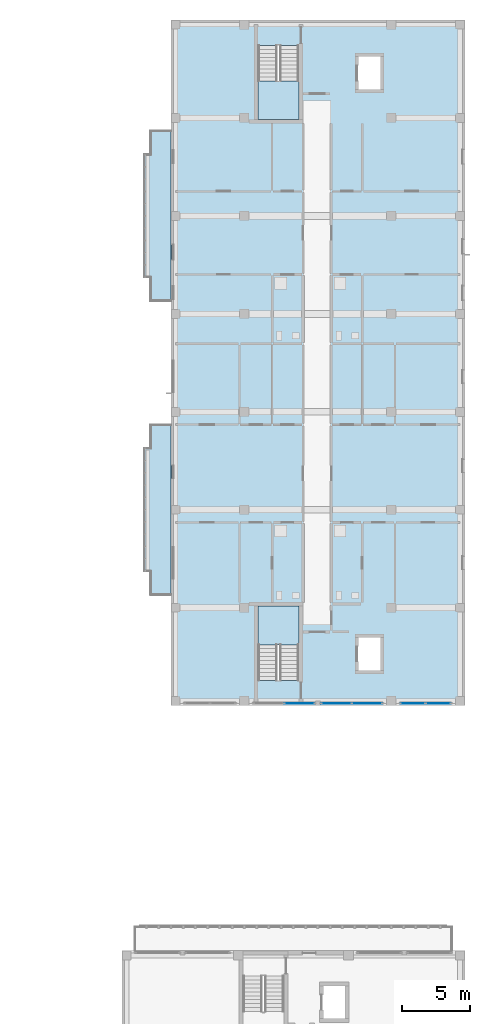
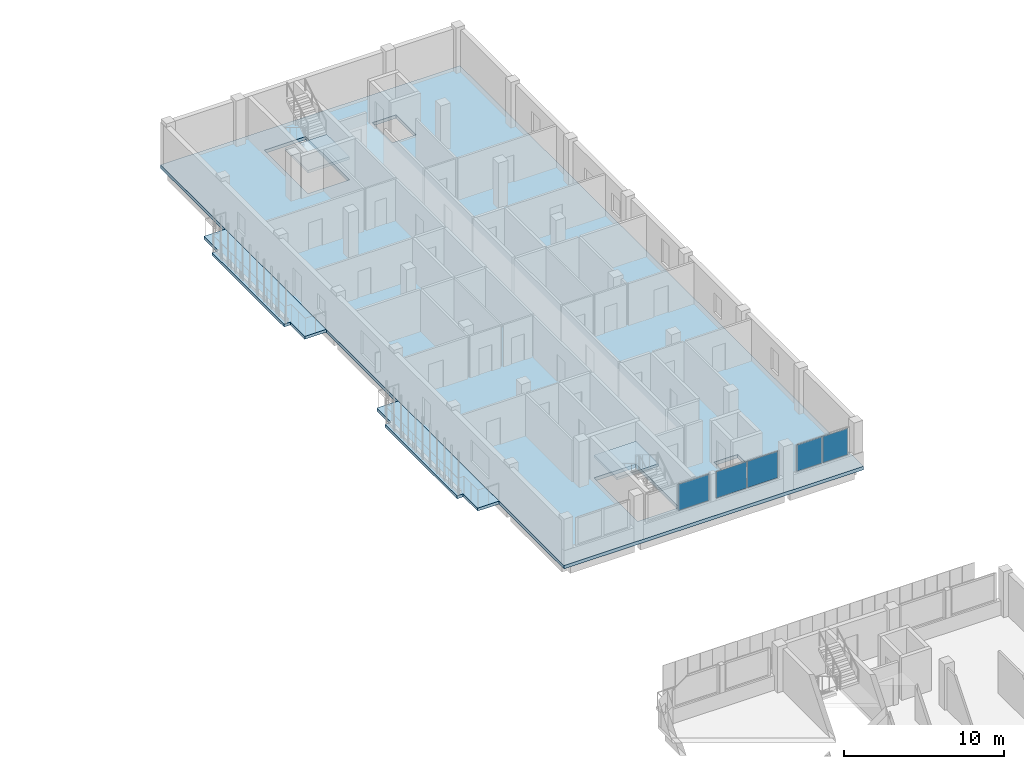
# One storey, part 34 of 73: 5 plates, 5 slabs, 5 elements without a shape of their own.
"""IFC4 building model written with IfcOpenShell, lengths in metres."""

from ifc_helpers import new_model, si_unit, derived_unit, direction, frame, origin, origin_2d, place, context, subcontext, project, spatial, polyline, rectangle, outline, extrude, material, layer, layer_set, type_object, element, aggregate, save


model = new_model("IFC4")

# Units and contexts
model_context = context("Model", 3, precision=1e-05, world=origin(), true_north=direction((0.0, 1.0)))
body_context = subcontext(model_context, "Body", "Model", "MODEL_VIEW")
ifc_project = project(units=[si_unit("LENGTHUNIT", "METRE"), si_unit("AREAUNIT", "SQUARE_METRE"), si_unit("VOLUMEUNIT", "CUBIC_METRE"), si_unit("PLANEANGLEUNIT", "RADIAN"), si_unit("MASSUNIT", "GRAM", prefix="KILO"), derived_unit("THERMALTRANSMITTANCEUNIT", [(si_unit("MASSUNIT", "GRAM", prefix="KILO"), 1), (si_unit("TIMEUNIT", "SECOND"), -3), (si_unit("THERMODYNAMICTEMPERATUREUNIT", "KELVIN"), -1)])], contexts=[model_context])

# Site, building, storey
site_placement = place(None, origin())
site = spatial("IfcSite", under=ifc_project, at=site_placement, CompositionType="ELEMENT")
building_placement = place(site_placement, origin())
building = spatial("IfcBuilding", under=site, at=building_placement, Name="Ochrekiln Boulevard Commons", CompositionType="ELEMENT")
storey_placement = place(building_placement, frame((0.0, 0.0, 8.574951171875)))
storey = spatial("IfcBuildingStorey", under=building, at=storey_placement, Name="L02", CompositionType="ELEMENT", Elevation=8.574951171875)

# Curtain wall, plate
ifc_material_1 = material(Name="Bronze-anodized extruded aluminium 6063-T6", Category="aluminium")
ifc_layer_1 = layer(ifc_material_1, 0.18408203125)
ifc_layer_set_1 = layer_set([ifc_layer_1], Name="Bronze-anodized extruded aluminium 6063-T6")
curtain_wall_type = type_object("IfcCurtainWallType", Name="CW-GABLE-B", PredefinedType="USERDEFINED", material=ifc_layer_set_1)
curtain_wall_1_placement = place(storey_placement, origin())
curtain_wall_1 = element("IfcCurtainWall", 1, at=curtain_wall_1_placement, inside=storey, type_object=curtain_wall_type, Name="Block B L02 Courtyard Glazed Gable Curtain Wall 2", ObjectType="GLAZED CURTAIN WALL", PredefinedType="USERDEFINED")
ifc_material_2 = material(Name="Spectrally selective low-E insulated glazing", Category="glass")
ifc_layer_2 = layer(ifc_material_2, 0.02392578125)
ifc_layer_set_2 = layer_set([ifc_layer_2], Name="Spectrally selective low-E insulated glazing")
plate_type_1 = type_object("IfcPlateType", Name="CWP-GLZ-1", PredefinedType="CURTAIN_PANEL", material=ifc_layer_set_2)
plate_1_placement = place(storey_placement, frame((160.638671875, 68.570068359375, 1.175048828125), z_axis=(0.0, 0.0, 1.0), x_axis=(1.0, 0.0, 0.0)))
plate_1 = element("IfcPlate", 2, at=plate_1_placement, type_object=plate_type_1, Name="CW-02 panel 2.1", PredefinedType="CURTAIN_PANEL", context=body_context, shape_type="SweptSolid", body=[
    extrude(rectangle(XDim=2.1923828125, YDim=0.02392578125, at=origin_2d()), origin(), (0.0, 0.0, 1.0), 2.0),
])
aggregate(curtain_wall_1, [plate_1])

# Curtain wall, plates
curtain_wall_2_placement = place(storey_placement, origin())
curtain_wall_2 = element("IfcCurtainWall", 3, at=curtain_wall_2_placement, inside=storey, type_object=curtain_wall_type, Name="Block B L02 Courtyard Glazed Gable Curtain Wall 3", ObjectType="GLAZED CURTAIN WALL", PredefinedType="USERDEFINED")
ifc_layer_3 = layer(ifc_material_2, 0.030029296875)
ifc_layer_set_3 = layer_set([ifc_layer_3], Name="Spectrally selective low-E insulated glazing")
plate_type_2 = type_object("IfcPlateType", Name="CWP-GLZ-2", PredefinedType="CURTAIN_PANEL", material=ifc_layer_set_3)
plate_2_placement = place(storey_placement, frame((163.360107421875, 68.570068359375, 1.169921875), z_axis=(0.0, 0.0, 1.0), x_axis=(1.0, 0.0, 0.0)))
plate_2 = element("IfcPlate", 4, at=plate_2_placement, type_object=plate_type_2, Name="CW-02 panel 1.1", PredefinedType="CURTAIN_PANEL", context=body_context, shape_type="SweptSolid", body=[
    extrude(rectangle(XDim=2.199951171875, YDim=0.030029296875, at=origin_2d()), origin(), (0.0, 0.0, 1.0), 2.010009765625),
])
plate_3_placement = place(storey_placement, frame((165.6201171875, 68.570068359375, 1.169921875), z_axis=(0.0, 0.0, 1.0), x_axis=(1.0, 0.0, 0.0)))
plate_3 = element("IfcPlate", 5, at=plate_3_placement, type_object=plate_type_2, Name="CW-02 panel 2.1", PredefinedType="CURTAIN_PANEL", context=body_context, shape_type="SweptSolid", body=[
    extrude(rectangle(XDim=2.199951171875, YDim=0.030029296875, at=origin_2d()), origin(), (0.0, 0.0, 1.0), 2.010009765625),
])
aggregate(curtain_wall_2, [plate_2, plate_3])

curtain_wall_3_placement = place(storey_placement, origin())
curtain_wall_3 = element("IfcCurtainWall", 6, at=curtain_wall_3_placement, inside=storey, type_object=curtain_wall_type, Name="Block B L02 Courtyard Glazed Gable Curtain Wall 4", ObjectType="GLAZED CURTAIN WALL", PredefinedType="USERDEFINED")
ifc_layer_4 = layer(ifc_material_2, 0.035888671875)
ifc_layer_set_4 = layer_set([ifc_layer_4], Name="Spectrally selective low-E insulated glazing")
plate_type_3 = type_object("IfcPlateType", Name="CWP-GLZ-3", PredefinedType="CURTAIN_PANEL", material=ifc_layer_set_4)
plate_4_placement = place(storey_placement, frame((168.98876953125, 68.570068359375, 1.175048828125), z_axis=(0.0, 0.0, 1.0), x_axis=(1.0, 0.0, 0.0)))
plate_4 = element("IfcPlate", 7, at=plate_4_placement, type_object=plate_type_3, Name="CW-02 panel 1.1", PredefinedType="CURTAIN_PANEL", context=body_context, shape_type="SweptSolid", body=[
    extrude(rectangle(XDim=1.8076171875, YDim=0.035888671875, at=origin_2d()), origin(), (0.0, 0.0, 1.0), 2.0),
])
plate_5_placement = place(storey_placement, frame((170.861328125, 68.570068359375, 1.175048828125), z_axis=(0.0, 0.0, 1.0), x_axis=(1.0, 0.0, 0.0)))
plate_5 = element("IfcPlate", 8, at=plate_5_placement, type_object=plate_type_3, Name="CW-02 panel 2.1", PredefinedType="CURTAIN_PANEL", context=body_context, shape_type="SweptSolid", body=[
    extrude(rectangle(XDim=1.8076171875, YDim=0.035888671875, at=origin_2d()), origin(), (0.0, 0.0, 1.0), 2.0),
])
aggregate(curtain_wall_3, [plate_4, plate_5])

# Slabs
ifc_material_3 = material(Name="Concrete C35/45", Category="concrete")
ifc_layer_5 = layer(ifc_material_3, 0.219970703125)
ifc_layer_set_5 = layer_set([ifc_layer_5], Name="Concrete C35/45")
slab_type_1 = type_object("IfcSlabType", Name="SLB-BAL-220", PredefinedType="FLOOR", material=ifc_layer_set_5)
slab_1_placement = place(storey_placement, frame((0.0, 0.0, -0.219970703125)))
element("IfcSlab", 9, at=slab_1_placement, inside=storey, type_object=slab_type_1, Name="Block B L02 Planter-Box Balcony Slab 1", PredefinedType="FLOOR", context=body_context, shape_type="SweptSolid", body=[
    extrude(outline(polyline([(151.199951171875, 76.5), (151.199951171875, 89.10009765625), (149.64990234375, 89.10009765625), (149.64990234375, 87.300048828125), (149.199951171875, 87.300048828125), (149.199951171875, 78.300048828125), (149.64990234375, 78.300048828125), (149.64990234375, 76.5), (151.199951171875, 76.5)])), origin(), (0.0, 0.0, 1.0), 0.219970703125),
])
slab_2_placement = place(storey_placement, frame((0.0, 0.0, -0.219970703125)))
element("IfcSlab", 10, at=slab_2_placement, inside=storey, type_object=slab_type_1, Name="Block B L02 Planter-Box Balcony Slab 2", PredefinedType="FLOOR", context=body_context, shape_type="SweptSolid", body=[
    extrude(outline(polyline([(151.199951171875, 98.10009765625), (151.199951171875, 110.699951171875), (149.64990234375, 110.699951171875), (149.64990234375, 108.89990234375), (149.199951171875, 108.89990234375), (149.199951171875, 99.89990234375), (149.64990234375, 99.89990234375), (149.64990234375, 98.10009765625), (151.199951171875, 98.10009765625)])), origin(), (0.0, 0.0, 1.0), 0.219970703125),
])

# Stair, slab
stair_type = type_object("IfcStairType", Name="STR-DL-350", PredefinedType="TWO_STRAIGHT_RUN_STAIR", material=ifc_material_3)
stair_1_placement = place(storey_placement, origin())
stair_1 = element("IfcStair", 11, at=stair_1_placement, inside=storey, type_object=stair_type, Name="L02 Enclosed Exit Stair ST-B1", PredefinedType="TWO_STRAIGHT_RUN_STAIR")
ifc_layer_6 = layer(ifc_material_3, 0.199951171875)
ifc_layer_set_6 = layer_set([ifc_layer_6], Name="Concrete C35/45")
slab_type_2 = type_object("IfcSlabType", Name="SLB-LND-200", PredefinedType="LANDING", material=ifc_layer_set_6)
slab_3_placement = place(storey_placement, frame((0.0, 0.0, 1.550048828125)))
slab_3 = element("IfcSlab", 12, at=slab_3_placement, type_object=slab_type_2, Name="ST-B1 landing 1", PredefinedType="LANDING", context=body_context, shape_type="SweptSolid", body=[
    extrude(outline(polyline([(160.60009765625, 72.8798828125), (160.60009765625, 75.719970703125), (157.60009765625, 75.719970703125), (157.60009765625, 72.8798828125), (160.60009765625, 72.8798828125)])), origin(), (0.0, 0.0, 1.0), 0.199951171875),
])
aggregate(stair_1, [slab_3])

stair_2_placement = place(storey_placement, origin())
stair_2 = element("IfcStair", 13, at=stair_2_placement, inside=storey, type_object=stair_type, Name="L02 Enclosed Exit Stair ST-B2", PredefinedType="TWO_STRAIGHT_RUN_STAIR")
slab_4_placement = place(storey_placement, frame((0.0, 0.0, 1.550048828125)))
slab_4 = element("IfcSlab", 14, at=slab_4_placement, type_object=slab_type_2, Name="ST-B2 landing 1", PredefinedType="LANDING", context=body_context, shape_type="SweptSolid", body=[
    extrude(outline(polyline([(157.60009765625, 114.320068359375), (157.60009765625, 111.47998046875), (160.60009765625, 111.47998046875), (160.60009765625, 114.320068359375), (157.60009765625, 114.320068359375)])), origin(), (0.0, 0.0, 1.0), 0.199951171875),
])
aggregate(stair_2, [slab_4])

# Slab
ifc_layer_7 = layer(ifc_material_3, 0.260009765625)
ifc_layer_set_7 = layer_set([ifc_layer_7], Name="Concrete C35/45")
slab_type_3 = type_object("IfcSlabType", Name="SLB-RES-260", PredefinedType="FLOOR", material=ifc_layer_set_7)
slab_5_placement = place(storey_placement, frame((0.0, 0.0, -0.260009765625)))
element("IfcSlab", 15, at=slab_5_placement, inside=storey, type_object=slab_type_3, Name="Block B L02 Reinforced Concrete Floor Slab", PredefinedType="FLOOR", context=body_context, shape_type="SweptSolid", body=[
    extrude(outline(polyline([(151.199951171875, 68.39990234375), (172.800048828125, 68.39990234375), (172.800048828125, 118.800048828125), (151.199951171875, 118.800048828125), (151.199951171875, 68.39990234375)]), holes=[polyline([(160.60009765625, 70.2705078125), (160.60009765625, 75.719970703125), (157.60009765625, 75.719970703125), (157.60009765625, 70.2705078125), (160.60009765625, 70.2705078125)]), polyline([(157.60009765625, 116.929443359375), (157.60009765625, 111.47998046875), (160.60009765625, 111.47998046875), (160.60009765625, 116.929443359375), (157.60009765625, 116.929443359375)]), polyline([(164.949951171875, 70.949951171875), (166.64990234375, 70.949951171875), (166.64990234375, 73.449951171875), (164.949951171875, 73.449951171875), (164.949951171875, 70.949951171875)]), polyline([(164.949951171875, 113.64990234375), (166.64990234375, 113.64990234375), (166.64990234375, 116.14990234375), (164.949951171875, 116.14990234375), (164.949951171875, 113.64990234375)])]), origin(), (0.0, 0.0, 1.0), 0.260009765625),
])

save(model, "model.ifc")
